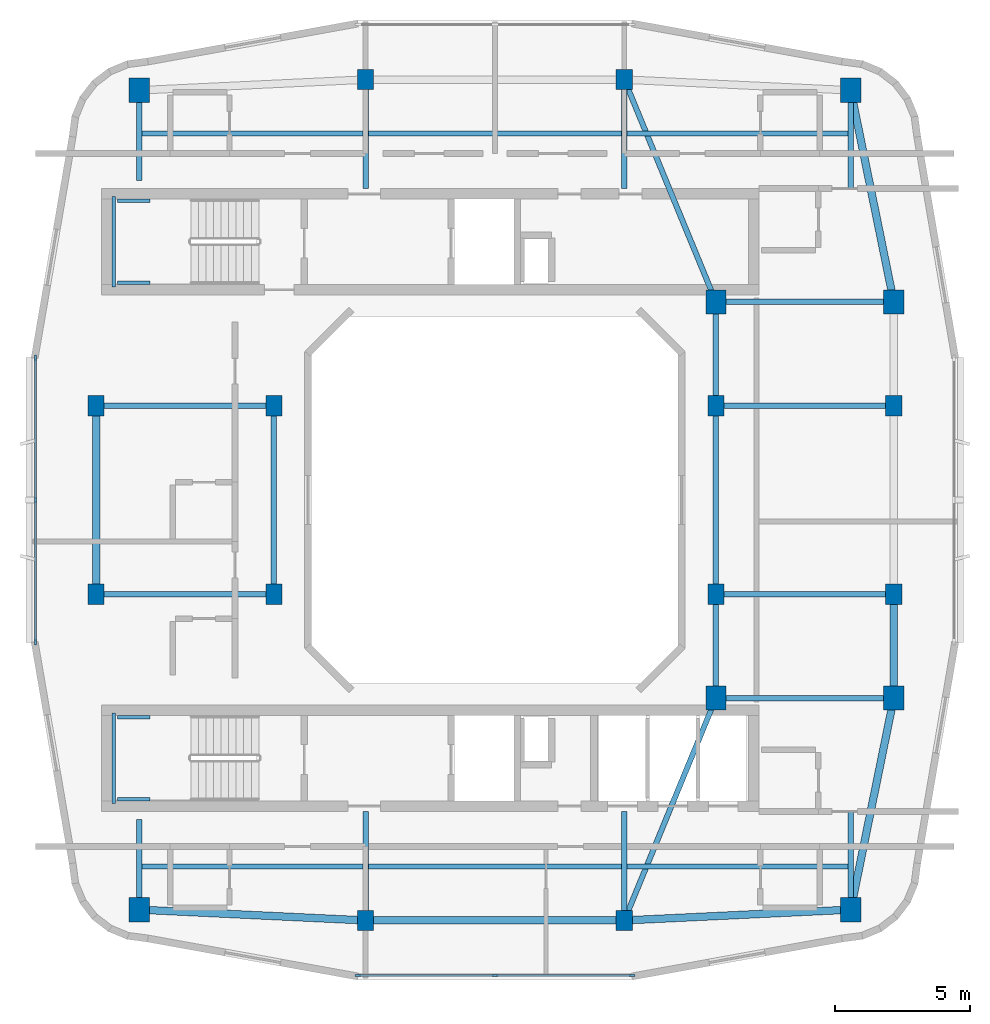
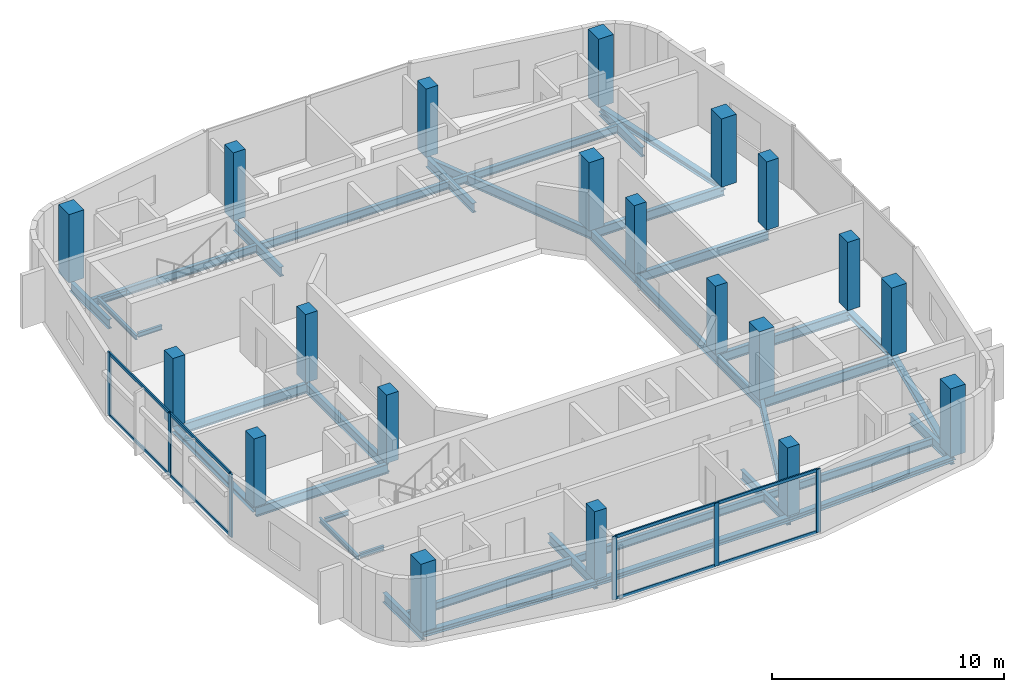
# One storey, part 1 of 8: 39 beams, 20 columns, 14 members, 2 elements without a shape of their own.
"""IFC4 building model written with IfcOpenShell, lengths in metres."""

import ifcopenshell
import ifcopenshell.guid

model = None  # the IFC model being written
_history = None  # IfcOwnerHistory: only IFC2X3 demands one
_inside = {}  # id of a spatial element -> (the spatial element, [elements in it])
_under = {}  # id of a project, library or spatial element -> (it, [spatial elements below it])
_declared = {}  # id of a project -> (the project, [libraries it declares])
_typed = {}  # id of a type object -> (the type object, [elements of that type])
_made_of = {}  # id of a material, layer set ... -> (it, [elements and type objects made of it])


def new_model(schema):
    """Start an empty IFC model of exactly this schema.

    Asked for "IFC4X3", IfcOpenShell would pick the latest addendum, in which some entities
    have other attributes; the version numbers below select the first issue.
    IFC2X3 requires an IfcOwnerHistory on every rooted entity: one is made here for all.
    """
    global model, _history
    if schema == "IFC4X3":
        model = ifcopenshell.file(schema_version=(4, 3, 0, 0))
    else:
        model = ifcopenshell.file(schema=schema)
    _inside.clear()
    _under.clear()
    _declared.clear()
    _typed.clear()
    _made_of.clear()
    _history = None
    if model.schema == "IFC2X3":
        org = make("IfcOrganization", Name="unknown")
        user = make(
            "IfcPersonAndOrganization",
            ThePerson=make("IfcPerson", FamilyName="unknown"),
            TheOrganization=org,
        )
        app = make(
            "IfcApplication",
            ApplicationDeveloper=org,
            Version="unknown",
            ApplicationFullName="unknown",
            ApplicationIdentifier="unknown",
        )
        _history = make(
            "IfcOwnerHistory",
            OwningUser=user,
            OwningApplication=app,
            ChangeAction="ADDED",
            CreationDate=0,
        )
    return model


def make(cls, **values):
    """One entity of the class cls with the attributes given. An attribute that is None is left unset."""
    return model.create_entity(
        cls, **{name: value for name, value in values.items() if value is not None}
    )


def rooted(cls, **values):
    """An entity with a GlobalId (a new one), such as an element, a storey or a relation."""
    return make(cls, GlobalId=ifcopenshell.guid.new(), OwnerHistory=_history, **values)


def si_unit(unit_type, name, prefix=None):
    """IfcSIUnit, for example si_unit("LENGTHUNIT", "METRE", prefix="MILLI")."""
    return make("IfcSIUnit", UnitType=unit_type, Prefix=prefix, Name=name)


def derived_unit(unit_type, elements):
    """IfcDerivedUnit: a product of units, each with its exponent."""
    return make(
        "IfcDerivedUnit",
        Elements=[
            make("IfcDerivedUnitElement", Unit=unit, Exponent=power)
            for unit, power in elements
        ],
        UnitType=unit_type,
    )


def assignment(units):
    """IfcUnitAssignment: the units of a project."""
    return None if units is None else make("IfcUnitAssignment", Units=units)


def point(xyz):
    """IfcCartesianPoint."""
    return None if xyz is None else make("IfcCartesianPoint", Coordinates=xyz)


def direction(xyz):
    """IfcDirection."""
    return None if xyz is None else make("IfcDirection", DirectionRatios=xyz)


def frame(location, z_axis=None, x_axis=None):
    """IfcAxis2Placement3D, a coordinate frame: its origin and axes. An axis left out is left unset."""
    return make(
        "IfcAxis2Placement3D",
        Location=point(location),
        Axis=direction(z_axis),
        RefDirection=direction(x_axis),
    )


def frame_2d(location, x_axis=None):
    """IfcAxis2Placement2D, a coordinate frame in the plane: its origin and x axis."""
    return make(
        "IfcAxis2Placement2D", Location=point(location), RefDirection=direction(x_axis)
    )


def origin():
    """The frame at (0, 0, 0) with its axes left unset."""
    return frame((0.0, 0.0, 0.0))


def origin_2d():
    """The frame at (0, 0) in the plane with its x axis left unset."""
    return frame_2d((0.0, 0.0))


def place(relative_to, where):
    """IfcLocalPlacement: puts the frame where relative to a parent placement (None: the world)."""
    return make(
        "IfcLocalPlacement", PlacementRelTo=relative_to, RelativePlacement=where
    )


def context(
    kind, dimensions, precision=None, world=None, true_north=None, identifier=None
):
    """IfcGeometricRepresentationContext, for example the 3D "Model" context."""
    return make(
        "IfcGeometricRepresentationContext",
        ContextIdentifier=identifier,
        ContextType=kind,
        CoordinateSpaceDimension=dimensions,
        Precision=precision,
        WorldCoordinateSystem=world,
        TrueNorth=true_north,
    )


def subcontext(parent, identifier, kind, view, scale=None):
    """IfcGeometricRepresentationSubContext, for example "Body" below "Model"."""
    return make(
        "IfcGeometricRepresentationSubContext",
        ContextIdentifier=identifier,
        ContextType=kind,
        ParentContext=parent,
        TargetScale=scale,
        TargetView=view,
    )


def project(units=None, contexts=None):
    """IfcProject with its units and contexts."""
    return rooted(
        "IfcProject",
        Name="project",
        RepresentationContexts=contexts,
        UnitsInContext=assignment(units),
    )


def spatial(cls, under=None, at=None, **own):
    """A site, building, storey or space (cls), placed at a placement, below another one or the project."""
    s = rooted(cls, ObjectPlacement=at, **own)
    if under is not None:
        _under.setdefault(under.id(), (under, []))[1].append(s)
    return s


def profile(cls, at=None, kind="AREA", **sizes):
    """A parametric profile (cls). Its sizes go by their IFC names, for example OverallWidth=200.0."""
    return make(cls, ProfileType=kind, Position=at, **sizes)


def rectangle(**sizes):
    """IfcRectangleProfileDef."""
    return profile("IfcRectangleProfileDef", **sizes)


def i_section(**sizes):
    """IfcIShapeProfileDef."""
    return profile("IfcIShapeProfileDef", **sizes)


def extrude(swept, where, along, depth):
    """IfcExtrudedAreaSolid: the profile swept, set in the frame where, extruded along a direction by depth."""
    return make(
        "IfcExtrudedAreaSolid",
        SweptArea=swept,
        Position=where,
        ExtrudedDirection=direction(along),
        Depth=depth,
    )


def shape(context_of_items, identifier, shape_type, items):
    """IfcShapeRepresentation: the items that make up one representation, for example the "Body"."""
    return make(
        "IfcShapeRepresentation",
        ContextOfItems=context_of_items,
        RepresentationIdentifier=identifier,
        RepresentationType=shape_type,
        Items=items,
    )


def material(Name=None, Category=None):
    """IfcMaterial."""
    return make("IfcMaterial", Name=Name, Category=Category)


def layer(
    of_material, thickness, ventilated=None, Name=None, Category=None, Priority=None
):
    """IfcMaterialLayer: one layer of a wall or slab, of a material (None: an air gap)."""
    return make(
        "IfcMaterialLayer",
        Material=of_material,
        LayerThickness=thickness,
        IsVentilated=ventilated,
        Name=Name,
        Category=Category,
        Priority=Priority,
    )


def layer_set(layers, Name=None):
    """IfcMaterialLayerSet."""
    return make("IfcMaterialLayerSet", MaterialLayers=layers, LayerSetName=Name)


def material_profile(
    of_material, cross_section, Name=None, Category=None, Priority=None
):
    """IfcMaterialProfile: a cross section and its material."""
    return make(
        "IfcMaterialProfile",
        Name=Name,
        Material=of_material,
        Profile=cross_section,
        Priority=Priority,
        Category=Category,
    )


def profile_set(profiles, Name=None, composite=None):
    """IfcMaterialProfileSet."""
    return make(
        "IfcMaterialProfileSet",
        Name=Name,
        MaterialProfiles=profiles,
        CompositeProfile=composite,
    )


def made_of(thing, what):
    """Note that an element or type object is made of a material, layer set ...; save() writes the relation."""
    if what is not None:
        _made_of.setdefault(what.id(), (what, []))[1].append(thing)
    return thing


def type_object(cls, material=None, **own):
    """A type object (cls), such as IfcWallType, which elements share."""
    return made_of(rooted(cls, **own), material)


def element(
    cls,
    number,
    at=None,
    inside=None,
    cuts=None,
    type_object=None,
    material=None,
    context=None,
    identifier="Body",
    shape_type=None,
    held_by="IfcProductDefinitionShape",
    body=None,
    shapes=None,
    **own,
):
    """One element of the class cls, such as IfcWall. Its Tag is "e" and its number.

    at: its placement. inside: the storey or other place that contains it. cuts: it is an
    opening in that element (IfcRelVoidsElement). A single representation is given by context,
    identifier, shape_type and body (its items); several are given by shapes. held_by: the class
    of the entity that holds the representations. save() writes the other relations.
    """
    e = rooted(cls, Tag="e%d" % number, ObjectPlacement=at, **own)
    if body is not None:
        shapes = [shape(context, identifier, shape_type, body)]
    if shapes is not None:
        e.Representation = make(held_by, Representations=shapes)
    if inside is not None:
        _inside.setdefault(inside.id(), (inside, []))[1].append(e)
    if cuts is not None:
        rooted(
            "IfcRelVoidsElement", RelatingBuildingElement=cuts, RelatedOpeningElement=e
        )
    if type_object is not None:
        _typed.setdefault(type_object.id(), (type_object, []))[1].append(e)
    return made_of(e, material)


def aggregate(whole, parts):
    """IfcRelAggregates: a whole, such as a stair, and the parts it consists of."""
    return rooted("IfcRelAggregates", RelatingObject=whole, RelatedObjects=parts)


def save(model, path):
    """Write the relations noted so far, then the file.

    IfcRelAggregates (storeys below a building ...), IfcRelContainedInSpatialStructure (elements
    in a storey), IfcRelDefinesByType, IfcRelAssociatesMaterial and IfcRelDeclares: one each for
    every whole, place, type object, material and project.
    """
    for whole, parts in _under.values():
        aggregate(whole, parts)
    for where, things in _inside.values():
        rooted(
            "IfcRelContainedInSpatialStructure",
            RelatedElements=things,
            RelatingStructure=where,
        )
    for kind, things in _typed.values():
        rooted("IfcRelDefinesByType", RelatedObjects=things, RelatingType=kind)
    for what, things in _made_of.values():
        rooted("IfcRelAssociatesMaterial", RelatedObjects=things, RelatingMaterial=what)
    for by, libraries in _declared.values():
        rooted("IfcRelDeclares", RelatingContext=by, RelatedDefinitions=libraries)
    model.write(path)


model = new_model("IFC4")

# Units and contexts
model_context = context("Model", 3, precision=1e-05, world=origin(), true_north=direction((0.0, 1.0)))
body_context = subcontext(model_context, "Body", "Model", "MODEL_VIEW")
ifc_project = project(units=[si_unit("LENGTHUNIT", "METRE"), si_unit("AREAUNIT", "SQUARE_METRE"), si_unit("VOLUMEUNIT", "CUBIC_METRE"), si_unit("PLANEANGLEUNIT", "RADIAN"), si_unit("MASSUNIT", "GRAM", prefix="KILO"), derived_unit("THERMALTRANSMITTANCEUNIT", [(si_unit("POWERUNIT", "WATT"), 1), (si_unit("LENGTHUNIT", "METRE"), -2), (si_unit("THERMODYNAMICTEMPERATUREUNIT", "KELVIN"), -1)])], contexts=[model_context])

# Site, building, storey
site_placement = place(None, origin())
site = spatial("IfcSite", under=ifc_project, at=site_placement, CompositionType="ELEMENT")
building_placement = place(site_placement, origin())
building = spatial("IfcBuilding", under=site, at=building_placement, Name="Kivonza Crest Hotel", CompositionType="ELEMENT")
storey_placement = place(building_placement, frame((0.0, 0.0, 261.199951171875)))
storey = spatial("IfcBuildingStorey", under=building, at=storey_placement, Name="L71", CompositionType="ELEMENT", Elevation=261.199951171875)

# Columns
ifc_material_1 = material(Name="Concrete C50/60", Category="concrete")
ifc_material_profile_1 = material_profile(ifc_material_1, rectangle(XDim=0.60009765625, YDim=0.75, at=origin_2d()), Name="RC 750x600")
ifc_profile_set_1 = profile_set([ifc_material_profile_1], Name="Concrete C50/60")
column_type_1 = type_object("IfcColumnType", Name="CL-RC-750x600", PredefinedType="COLUMN", material=ifc_profile_set_1)
for number, where, z_axis, x_axis, name in (
    (1, (16.199951171875, 9.39990234375, 0.0), (0.0, 0.0, 1.0), (1.0, 0.0, 0.0), "Tower T1 L71 column S1"),
    (2, (25.800048828125, 9.39990234375, 0.0), (0.0, 0.0, 1.0), (1.0, 0.0, 0.0), "Tower T1 L71 column S2"),
    (3, (16.199951171875, 40.60009765625, 0.0), (0.0, 0.0, 1.0), (1.0, 0.0, 0.0), "Tower T1 L71 column N1"),
    (4, (25.800048828125, 40.60009765625, 0.0), (0.0, 0.0, 1.0), (1.0, 0.0, 0.0), "Tower T1 L71 column N2"),
    (5, (6.199951171875, 21.5, 0.0), (0.0, 0.0, 1.0), (1.0, 0.0, 0.0), "Tower T1 L71 column W1"),
    (6, (6.199951171875, 28.5, 0.0), (0.0, 0.0, 1.0), (1.0, 0.0, 0.0), "Tower T1 L71 column W2"),
    (7, (35.800048828125, 21.5, 0.0), (0.0, 0.0, 1.0), (1.0, 0.0, 0.0), "Tower T1 L71 column E1"),
    (8, (35.800048828125, 28.5, 0.0), (0.0, 0.0, 1.0), (1.0, 0.0, 0.0), "Tower T1 L71 column E2"),
    (9, (12.800048828125, 21.5, 0.0), (0.0, 0.0, 1.0), (1.0, 0.0, 0.0), "Tower T1 L71 column WL1"),
    (10, (12.800048828125, 28.5, 0.0), (0.0, 0.0, 1.0), (1.0, 0.0, 0.0), "Tower T1 L71 column WL2"),
    (11, (29.199951171875, 21.5, 0.0), (0.0, 0.0, 1.0), (1.0, 0.0, 0.0), "Tower T1 L71 column WR1"),
    (12, (29.199951171875, 28.5, 0.0), (0.0, 0.0, 1.0), (1.0, 0.0, 0.0), "Tower T1 L71 column WR2"),
):
    element("IfcColumn", number, at=place(storey_placement, frame(where, z_axis=z_axis, x_axis=x_axis)), inside=storey, type_object=column_type_1, Name=name, PredefinedType="COLUMN", context=body_context, shape_type="SweptSolid", body=[
        extrude(rectangle(XDim=0.60009765625, YDim=0.75, at=origin_2d()), origin(), (0.0, 0.0, 1.0), 3.60009765625),
    ])
ifc_material_profile_2 = material_profile(ifc_material_1, rectangle(XDim=0.75, YDim=0.89990234375, at=origin_2d()), Name="RC 900x750")
ifc_profile_set_2 = profile_set([ifc_material_profile_2], Name="Concrete C50/60")
column_type_2 = type_object("IfcColumnType", Name="CL-RC-900x750", PredefinedType="COLUMN", material=ifc_profile_set_2)
for number, where, z_axis, x_axis, name in (
    (13, (7.800048828125, 9.800048828125, 0.0), (0.0, 0.0, 1.0), (1.0, 0.0, 0.0), "Tower T1 L71 column SW"),
    (14, (34.199951171875, 9.800048828125, 0.0), (0.0, 0.0, 1.0), (1.0, 0.0, 0.0), "Tower T1 L71 column SE"),
    (15, (34.199951171875, 40.199951171875, 0.0), (0.0, 0.0, 1.0), (1.0, 0.0, 0.0), "Tower T1 L71 column NE"),
    (16, (7.800048828125, 40.199951171875, 0.0), (0.0, 0.0, 1.0), (1.0, 0.0, 0.0), "Tower T1 L71 column NW"),
    (17, (35.800048828125, 17.64990234375, 0.0), (0.0, 0.0, 1.0), (1.0, 0.0, 0.0), "Tower T1 L71 column PSE"),
    (18, (35.800048828125, 32.35009765625, 0.0), (0.0, 0.0, 1.0), (1.0, 0.0, 0.0), "Tower T1 L71 column PNE"),
    (19, (29.199951171875, 17.64990234375, 0.0), (0.0, 0.0, 1.0), (1.0, 0.0, 0.0), "Tower T1 L71 column TSE"),
    (20, (29.199951171875, 32.35009765625, 0.0), (0.0, 0.0, 1.0), (1.0, 0.0, 0.0), "Tower T1 L71 column TNE"),
):
    element("IfcColumn", number, at=place(storey_placement, frame(where, z_axis=z_axis, x_axis=x_axis)), inside=storey, type_object=column_type_2, Name=name, PredefinedType="COLUMN", context=body_context, shape_type="SweptSolid", body=[
        extrude(rectangle(XDim=0.75, YDim=0.89990234375, at=origin_2d()), origin(), (0.0, 0.0, 1.0), 3.60009765625),
    ])

# Beams
ifc_material_2 = material(Name="Steel S355", Category="steel")
ifc_material_profile_3 = material_profile(ifc_material_2, i_section(OverallWidth=0.280029296875, OverallDepth=0.280029296875, WebThickness=0.010498046875, FlangeThickness=0.01806640625, FilletRadius=0.02392578125, at=origin_2d()), Name="HEB 280")
ifc_profile_set_3 = profile_set([ifc_material_profile_3], Name="Steel S355")
beam_type_1 = type_object("IfcBeamType", Name="BM-HEB280", PredefinedType="SPANDREL", material=ifc_profile_set_3)
beam_1_placement = place(storey_placement, frame((16.199951171875, 9.39990234375, -0.419921875), z_axis=(1.0, 0.0, 0.0), x_axis=(0.0, 1.0, 0.0)))
element("IfcBeam", 21, at=beam_1_placement, inside=storey, type_object=beam_type_1, Name="Tower T1 L71 perimeter spandrel S1-S2", PredefinedType="SPANDREL", context=body_context, shape_type="SweptSolid", body=[
    extrude(i_section(OverallWidth=0.280029296875, OverallDepth=0.280029296875, WebThickness=0.010498046875, FlangeThickness=0.01806640625, FilletRadius=0.02392578125, at=origin_2d()), origin(), (0.0, 0.0, 1.0), 9.60009765625),
])
beam_2_placement = place(storey_placement, frame((25.800048828125, 9.39990234375, -0.419921875), z_axis=(0.998867283688, 0.047583080799, 0.0), x_axis=(-0.047583080799, 0.998867283688, 0.0)))
element("IfcBeam", 22, at=beam_2_placement, inside=storey, type_object=beam_type_1, Name="Tower T1 L71 perimeter spandrel S2-SE", PredefinedType="SPANDREL", context=body_context, shape_type="SweptSolid", body=[
    extrude(i_section(OverallWidth=0.280029296875, OverallDepth=0.280029296875, WebThickness=0.010498046875, FlangeThickness=0.01806640625, FilletRadius=0.02392578125, at=origin_2d()), origin(), (0.0, 0.0, 1.0), 8.409423828125),
])
beam_3_placement = place(storey_placement, frame((34.199951171875, 9.800048828125, -0.419921875), z_axis=(0.199730733965, 0.979850822273, 0.0), x_axis=(-0.979850822273, 0.199730733965, 0.0)))
element("IfcBeam", 23, at=beam_3_placement, inside=storey, type_object=beam_type_1, Name="Tower T1 L71 perimeter spandrel SE-PSE", PredefinedType="SPANDREL", context=body_context, shape_type="SweptSolid", body=[
    extrude(i_section(OverallWidth=0.280029296875, OverallDepth=0.280029296875, WebThickness=0.010498046875, FlangeThickness=0.01806640625, FilletRadius=0.02392578125, at=origin_2d()), origin(), (0.0, 0.0, 1.0), 8.01123046875),
])
beam_4_placement = place(storey_placement, frame((35.800048828125, 17.64990234375, -0.419921875), z_axis=(0.0, 1.0, 0.0), x_axis=(-1.0, 0.0, 0.0)))
element("IfcBeam", 24, at=beam_4_placement, inside=storey, type_object=beam_type_1, Name="Tower T1 L71 perimeter spandrel PSE-E1", PredefinedType="SPANDREL", context=body_context, shape_type="SweptSolid", body=[
    extrude(i_section(OverallWidth=0.280029296875, OverallDepth=0.280029296875, WebThickness=0.010498046875, FlangeThickness=0.01806640625, FilletRadius=0.02392578125, at=origin_2d()), origin(), (0.0, 0.0, 1.0), 3.85009765625),
])
beam_5_placement = place(storey_placement, frame((35.800048828125, 32.35009765625, -0.419921875), z_axis=(-0.199730733965, 0.979850822273, 0.0), x_axis=(-0.979850822273, -0.199730733965, 0.0)))
element("IfcBeam", 25, at=beam_5_placement, inside=storey, type_object=beam_type_1, Name="Tower T1 L71 perimeter spandrel PNE-NE", PredefinedType="SPANDREL", context=body_context, shape_type="SweptSolid", body=[
    extrude(i_section(OverallWidth=0.280029296875, OverallDepth=0.280029296875, WebThickness=0.010498046875, FlangeThickness=0.01806640625, FilletRadius=0.02392578125, at=origin_2d()), origin(), (0.0, 0.0, 1.0), 8.01123046875),
])
beam_6_placement = place(storey_placement, frame((6.199951171875, 28.5, -0.419921875), z_axis=(0.0, -1.0, 0.0), x_axis=(1.0, 0.0, 0.0)))
element("IfcBeam", 26, at=beam_6_placement, inside=storey, type_object=beam_type_1, Name="Tower T1 L71 perimeter spandrel W2-W1", PredefinedType="SPANDREL", context=body_context, shape_type="SweptSolid", body=[
    extrude(i_section(OverallWidth=0.280029296875, OverallDepth=0.280029296875, WebThickness=0.010498046875, FlangeThickness=0.01806640625, FilletRadius=0.02392578125, at=origin_2d()), origin(), (0.0, 0.0, 1.0), 7.0),
])
beam_7_placement = place(storey_placement, frame((7.800048828125, 9.800048828125, -0.419921875), z_axis=(0.998867283688, -0.047583080799, 0.0), x_axis=(0.047583080799, 0.998867283688, 0.0)))
element("IfcBeam", 27, at=beam_7_placement, inside=storey, type_object=beam_type_1, Name="Tower T1 L71 perimeter spandrel SW-S1", PredefinedType="SPANDREL", context=body_context, shape_type="SweptSolid", body=[
    extrude(i_section(OverallWidth=0.280029296875, OverallDepth=0.280029296875, WebThickness=0.010498046875, FlangeThickness=0.01806640625, FilletRadius=0.02392578125, at=origin_2d()), origin(), (0.0, 0.0, 1.0), 8.409423828125),
])
ifc_material_profile_4 = material_profile(ifc_material_2, i_section(OverallWidth=0.179931640625, OverallDepth=0.39990234375, WebThickness=0.008544921875, FlangeThickness=0.013427734375, FilletRadius=0.02099609375, at=origin_2d()), Name="IPE 400")
ifc_profile_set_4 = profile_set([ifc_material_profile_4], Name="Steel S355")
beam_type_2 = type_object("IfcBeamType", Name="BM-IPE400", PredefinedType="JOIST", material=ifc_profile_set_4)
beam_8_placement = place(storey_placement, frame((7.8798828125, 11.39990234375, -0.47998046875), z_axis=(1.0, 0.0, 0.0), x_axis=(0.0, 1.0, 0.0)))
element("IfcBeam", 28, at=beam_8_placement, inside=storey, type_object=beam_type_2, Name="Tower T1 L71 South-West floor joist", PredefinedType="JOIST", context=body_context, shape_type="SweptSolid", body=[
    extrude(i_section(OverallWidth=0.179931640625, OverallDepth=0.39990234375, WebThickness=0.008544921875, FlangeThickness=0.013427734375, FilletRadius=0.02099609375, at=origin_2d()), origin(), (0.0, 0.0, 1.0), 8.240234375),
])
beam_9_placement = place(storey_placement, frame((16.280029296875, 11.39990234375, -0.47998046875), z_axis=(1.0, 0.0, 0.0), x_axis=(0.0, 1.0, 0.0)))
element("IfcBeam", 29, at=beam_9_placement, inside=storey, type_object=beam_type_2, Name="Tower T1 L71 South-Mid floor joist", PredefinedType="JOIST", context=body_context, shape_type="SweptSolid", body=[
    extrude(i_section(OverallWidth=0.179931640625, OverallDepth=0.39990234375, WebThickness=0.008544921875, FlangeThickness=0.013427734375, FilletRadius=0.02099609375, at=origin_2d()), origin(), (0.0, 0.0, 1.0), 9.43994140625),
])
for number, where, z_axis, x_axis, name in (
    (30, (25.8798828125, 11.39990234375, -0.47998046875), (1.0, 0.0, 0.0), (0.0, 1.0, 0.0), "Tower T1 L71 South-East floor joist"),
    (31, (7.8798828125, 38.60009765625, -0.47998046875), (1.0, 0.0, 0.0), (0.0, 1.0, 0.0), "Tower T1 L71 North-West floor joist"),
):
    element("IfcBeam", number, at=place(storey_placement, frame(where, z_axis=z_axis, x_axis=x_axis)), inside=storey, type_object=beam_type_2, Name=name, PredefinedType="JOIST", context=body_context, shape_type="SweptSolid", body=[
        extrude(i_section(OverallWidth=0.179931640625, OverallDepth=0.39990234375, WebThickness=0.008544921875, FlangeThickness=0.013427734375, FilletRadius=0.02099609375, at=origin_2d()), origin(), (0.0, 0.0, 1.0), 8.240234375),
    ])
beam_10_placement = place(storey_placement, frame((16.280029296875, 38.60009765625, -0.47998046875), z_axis=(1.0, 0.0, 0.0), x_axis=(0.0, 1.0, 0.0)))
element("IfcBeam", 32, at=beam_10_placement, inside=storey, type_object=beam_type_2, Name="Tower T1 L71 North-Mid floor joist", PredefinedType="JOIST", context=body_context, shape_type="SweptSolid", body=[
    extrude(i_section(OverallWidth=0.179931640625, OverallDepth=0.39990234375, WebThickness=0.008544921875, FlangeThickness=0.013427734375, FilletRadius=0.02099609375, at=origin_2d()), origin(), (0.0, 0.0, 1.0), 9.43994140625),
])
beam_11_placement = place(storey_placement, frame((25.8798828125, 38.60009765625, -0.47998046875), z_axis=(1.0, 0.0, 0.0), x_axis=(0.0, 1.0, 0.0)))
element("IfcBeam", 33, at=beam_11_placement, inside=storey, type_object=beam_type_2, Name="Tower T1 L71 North-East floor joist", PredefinedType="JOIST", context=body_context, shape_type="SweptSolid", body=[
    extrude(i_section(OverallWidth=0.179931640625, OverallDepth=0.39990234375, WebThickness=0.008544921875, FlangeThickness=0.013427734375, FilletRadius=0.02099609375, at=origin_2d()), origin(), (0.0, 0.0, 1.0), 8.240234375),
])
ifc_material_profile_5 = material_profile(ifc_material_2, i_section(OverallWidth=0.199951171875, OverallDepth=0.5, WebThickness=0.01025390625, FlangeThickness=0.01611328125, FilletRadius=0.02099609375, at=origin_2d()), Name="IPE 500")
ifc_profile_set_5 = profile_set([ifc_material_profile_5], Name="Steel S355")
beam_type_3 = type_object("IfcBeamType", Name="BM-IPE500", PredefinedType="BEAM", material=ifc_profile_set_5)
for number, where, z_axis, x_axis, name in (
    (34, (6.199951171875, 21.5, -0.530029296875), (1.0, 0.0, 0.0), (0.0, 1.0, 0.0), "Tower T1 L71 primary girder W1-WL1"),
    (35, (6.199951171875, 28.5, -0.530029296875), (1.0, 0.0, 0.0), (0.0, 1.0, 0.0), "Tower T1 L71 primary girder W2-WL2"),
):
    element("IfcBeam", number, at=place(storey_placement, frame(where, z_axis=z_axis, x_axis=x_axis)), inside=storey, type_object=beam_type_3, Name=name, PredefinedType="BEAM", context=body_context, shape_type="SweptSolid", body=[
        extrude(i_section(OverallWidth=0.199951171875, OverallDepth=0.5, WebThickness=0.01025390625, FlangeThickness=0.01611328125, FilletRadius=0.02099609375, at=origin_2d()), origin(), (0.0, 0.0, 1.0), 6.60009765625),
    ])
beam_12_placement = place(storey_placement, frame((12.800048828125, 21.5, -0.530029296875), z_axis=(0.0, 1.0, 0.0), x_axis=(-1.0, 0.0, 0.0)))
element("IfcBeam", 36, at=beam_12_placement, inside=storey, type_object=beam_type_3, Name="Tower T1 L71 primary girder WL1-WL2", PredefinedType="BEAM", context=body_context, shape_type="SweptSolid", body=[
    extrude(i_section(OverallWidth=0.199951171875, OverallDepth=0.5, WebThickness=0.01025390625, FlangeThickness=0.01611328125, FilletRadius=0.02099609375, at=origin_2d()), origin(), (0.0, 0.0, 1.0), 7.0),
])
for number, where, z_axis, x_axis, name in (
    (37, (25.800048828125, 9.39990234375, -0.530029296875), (0.381022260404, 0.924565864109, 0.0), (-0.924565864109, 0.381022260404, 0.0), "Tower T1 L71 primary girder S1-TSE"),
    (38, (25.800048828125, 40.60009765625, -0.530029296875), (0.381022260404, -0.924565864109, 0.0), (0.924565864109, 0.381022260404, 0.0), "Tower T1 L71 primary girder N1-TNE"),
):
    element("IfcBeam", number, at=place(storey_placement, frame(where, z_axis=z_axis, x_axis=x_axis)), inside=storey, type_object=beam_type_3, Name=name, PredefinedType="BEAM", context=body_context, shape_type="SweptSolid", body=[
        extrude(i_section(OverallWidth=0.199951171875, OverallDepth=0.5, WebThickness=0.01025390625, FlangeThickness=0.01611328125, FilletRadius=0.02099609375, at=origin_2d()), origin(), (0.0, 0.0, 1.0), 8.923095703125),
    ])
for number, where, z_axis, x_axis, name in (
    (39, (29.199951171875, 17.64990234375, -0.530029296875), (1.0, 0.0, 0.0), (0.0, 1.0, 0.0), "Tower T1 L71 primary girder TSE-PSE"),
    (40, (29.199951171875, 32.35009765625, -0.530029296875), (1.0, 0.0, 0.0), (0.0, 1.0, 0.0), "Tower T1 L71 primary girder TNE-PNE"),
):
    element("IfcBeam", number, at=place(storey_placement, frame(where, z_axis=z_axis, x_axis=x_axis)), inside=storey, type_object=beam_type_3, Name=name, PredefinedType="BEAM", context=body_context, shape_type="SweptSolid", body=[
        extrude(i_section(OverallWidth=0.199951171875, OverallDepth=0.5, WebThickness=0.01025390625, FlangeThickness=0.01611328125, FilletRadius=0.02099609375, at=origin_2d()), origin(), (0.0, 0.0, 1.0), 6.60009765625),
    ])
beam_13_placement = place(storey_placement, frame((29.199951171875, 21.5, -0.530029296875), z_axis=(0.0, 1.0, 0.0), x_axis=(-1.0, 0.0, 0.0)))
element("IfcBeam", 41, at=beam_13_placement, inside=storey, type_object=beam_type_3, Name="Tower T1 L71 primary girder WR1-WR2", PredefinedType="BEAM", context=body_context, shape_type="SweptSolid", body=[
    extrude(i_section(OverallWidth=0.199951171875, OverallDepth=0.5, WebThickness=0.01025390625, FlangeThickness=0.01611328125, FilletRadius=0.02099609375, at=origin_2d()), origin(), (0.0, 0.0, 1.0), 7.0),
])
for number, where, z_axis, x_axis, name in (
    (42, (29.199951171875, 17.64990234375, -0.530029296875), (0.0, 1.0, 0.0), (-1.0, 0.0, 0.0), "Tower T1 L71 primary girder TSE-WR1"),
    (43, (29.199951171875, 28.5, -0.530029296875), (0.0, 1.0, 0.0), (-1.0, 0.0, 0.0), "Tower T1 L71 primary girder WR2-TNE"),
):
    element("IfcBeam", number, at=place(storey_placement, frame(where, z_axis=z_axis, x_axis=x_axis)), inside=storey, type_object=beam_type_3, Name=name, PredefinedType="BEAM", context=body_context, shape_type="SweptSolid", body=[
        extrude(i_section(OverallWidth=0.199951171875, OverallDepth=0.5, WebThickness=0.01025390625, FlangeThickness=0.01611328125, FilletRadius=0.02099609375, at=origin_2d()), origin(), (0.0, 0.0, 1.0), 3.85009765625),
    ])
for number, where, z_axis, x_axis, name in (
    (44, (29.199951171875, 21.5, -0.530029296875), (1.0, 0.0, 0.0), (0.0, 1.0, 0.0), "Tower T1 L71 primary girder WR1-E1"),
    (45, (29.199951171875, 28.5, -0.530029296875), (1.0, 0.0, 0.0), (0.0, 1.0, 0.0), "Tower T1 L71 primary girder WR2-E2"),
):
    element("IfcBeam", number, at=place(storey_placement, frame(where, z_axis=z_axis, x_axis=x_axis)), inside=storey, type_object=beam_type_3, Name=name, PredefinedType="BEAM", context=body_context, shape_type="SweptSolid", body=[
        extrude(i_section(OverallWidth=0.199951171875, OverallDepth=0.5, WebThickness=0.01025390625, FlangeThickness=0.01611328125, FilletRadius=0.02099609375, at=origin_2d()), origin(), (0.0, 0.0, 1.0), 6.60009765625),
    ])
beam_14_placement = place(storey_placement, frame((7.800048828125, 9.800048828125, -0.530029296875), z_axis=(0.0, 1.0, 0.0), x_axis=(-1.0, 0.0, 0.0)))
element("IfcBeam", 46, at=beam_14_placement, inside=storey, type_object=beam_type_3, Name="Tower T1 L71 radial core girder RSW", PredefinedType="BEAM", context=body_context, shape_type="SweptSolid", body=[
    extrude(i_section(OverallWidth=0.199951171875, OverallDepth=0.5, WebThickness=0.01025390625, FlangeThickness=0.01611328125, FilletRadius=0.02099609375, at=origin_2d()), origin(), (0.0, 0.0, 1.0), 3.349853515625),
])
for number, where, z_axis, x_axis, name in (
    (47, (16.199951171875, 9.39990234375, -0.530029296875), (0.0, 1.0, 0.0), (-1.0, 0.0, 0.0), "Tower T1 L71 radial core girder RS1"),
    (48, (25.800048828125, 9.39990234375, -0.530029296875), (0.0, 1.0, 0.0), (-1.0, 0.0, 0.0), "Tower T1 L71 radial core girder RS2"),
):
    element("IfcBeam", number, at=place(storey_placement, frame(where, z_axis=z_axis, x_axis=x_axis)), inside=storey, type_object=beam_type_3, Name=name, PredefinedType="BEAM", context=body_context, shape_type="SweptSolid", body=[
        extrude(i_section(OverallWidth=0.199951171875, OverallDepth=0.5, WebThickness=0.01025390625, FlangeThickness=0.01611328125, FilletRadius=0.02099609375, at=origin_2d()), origin(), (0.0, 0.0, 1.0), 4.050048828125),
    ])
beam_15_placement = place(storey_placement, frame((34.199951171875, 9.800048828125, -0.530029296875), z_axis=(0.0, 1.0, 0.0), x_axis=(-1.0, 0.0, 0.0)))
element("IfcBeam", 49, at=beam_15_placement, inside=storey, type_object=beam_type_3, Name="Tower T1 L71 radial core girder RSE", PredefinedType="BEAM", context=body_context, shape_type="SweptSolid", body=[
    extrude(i_section(OverallWidth=0.199951171875, OverallDepth=0.5, WebThickness=0.01025390625, FlangeThickness=0.01611328125, FilletRadius=0.02099609375, at=origin_2d()), origin(), (0.0, 0.0, 1.0), 3.64990234375),
])
beam_16_placement = place(storey_placement, frame((7.800048828125, 40.199951171875, -0.530029296875), z_axis=(0.0, -1.0, 0.0), x_axis=(1.0, 0.0, 0.0)))
element("IfcBeam", 50, at=beam_16_placement, inside=storey, type_object=beam_type_3, Name="Tower T1 L71 radial core girder RNW", PredefinedType="BEAM", context=body_context, shape_type="SweptSolid", body=[
    extrude(i_section(OverallWidth=0.199951171875, OverallDepth=0.5, WebThickness=0.01025390625, FlangeThickness=0.01611328125, FilletRadius=0.02099609375, at=origin_2d()), origin(), (0.0, 0.0, 1.0), 3.349853515625),
])
for number, where, z_axis, x_axis, name in (
    (51, (16.199951171875, 40.60009765625, -0.530029296875), (0.0, -1.0, 0.0), (1.0, 0.0, 0.0), "Tower T1 L71 radial core girder RN1"),
    (52, (25.800048828125, 40.60009765625, -0.530029296875), (0.0, -1.0, 0.0), (1.0, 0.0, 0.0), "Tower T1 L71 radial core girder RN2"),
):
    element("IfcBeam", number, at=place(storey_placement, frame(where, z_axis=z_axis, x_axis=x_axis)), inside=storey, type_object=beam_type_3, Name=name, PredefinedType="BEAM", context=body_context, shape_type="SweptSolid", body=[
        extrude(i_section(OverallWidth=0.199951171875, OverallDepth=0.5, WebThickness=0.01025390625, FlangeThickness=0.01611328125, FilletRadius=0.02099609375, at=origin_2d()), origin(), (0.0, 0.0, 1.0), 4.050048828125),
    ])
beam_17_placement = place(storey_placement, frame((34.199951171875, 40.199951171875, -0.530029296875), z_axis=(0.0, -1.0, 0.0), x_axis=(1.0, 0.0, 0.0)))
element("IfcBeam", 53, at=beam_17_placement, inside=storey, type_object=beam_type_3, Name="Tower T1 L71 radial core girder RNE", PredefinedType="BEAM", context=body_context, shape_type="SweptSolid", body=[
    extrude(i_section(OverallWidth=0.199951171875, OverallDepth=0.5, WebThickness=0.01025390625, FlangeThickness=0.01611328125, FilletRadius=0.02099609375, at=origin_2d()), origin(), (0.0, 0.0, 1.0), 3.64990234375),
])
ifc_material_profile_6 = material_profile(ifc_material_2, i_section(OverallWidth=0.1201171875, OverallDepth=0.239990234375, WebThickness=0.006103515625, FlangeThickness=0.009765625, FilletRadius=0.014892578125, at=origin_2d()), Name="IPE 240")
ifc_profile_set_6 = profile_set([ifc_material_profile_6], Name="Steel S355")
beam_type_4 = type_object("IfcBeamType", Name="BM-LLDG-240", PredefinedType="BEAM", material=ifc_profile_set_6)
beam_18_placement = place(storey_placement, frame((6.860107421875, 32.89990234375, 1.47998046875), z_axis=(0.0, 1.0, 0.0), x_axis=(-1.0, 0.0, 0.0)))
element("IfcBeam", 54, at=beam_18_placement, inside=storey, type_object=beam_type_4, Name="Stair ST-T1-N L71 West landing corbel", PredefinedType="BEAM", context=body_context, shape_type="SweptSolid", body=[
    extrude(i_section(OverallWidth=0.1201171875, OverallDepth=0.239990234375, WebThickness=0.006103515625, FlangeThickness=0.009765625, FilletRadius=0.014892578125, at=origin_2d()), origin(), (0.0, 0.0, 1.0), 3.360107421875),
])
for number, where, z_axis, x_axis, name in (
    (55, (6.989990234375, 33.06005859375, 1.47998046875), (1.0, 0.0, 0.0), (0.0, 1.0, 0.0), "Stair ST-T1-N L71 South landing corbel"),
    (56, (6.989990234375, 36.10009765625, 1.47998046875), (1.0, 0.0, 0.0), (0.0, 1.0, 0.0), "Stair ST-T1-N L71 North landing corbel"),
):
    element("IfcBeam", number, at=place(storey_placement, frame(where, z_axis=z_axis, x_axis=x_axis)), inside=storey, type_object=beam_type_4, Name=name, PredefinedType="BEAM", context=body_context, shape_type="SweptSolid", body=[
        extrude(i_section(OverallWidth=0.1201171875, OverallDepth=0.239990234375, WebThickness=0.006103515625, FlangeThickness=0.009765625, FilletRadius=0.014892578125, at=origin_2d()), origin(), (0.0, 0.0, 1.0), 1.2099609375),
    ])
beam_19_placement = place(storey_placement, frame((6.860107421875, 13.739990234375, 1.47998046875), z_axis=(0.0, 1.0, 0.0), x_axis=(-1.0, 0.0, 0.0)))
element("IfcBeam", 57, at=beam_19_placement, inside=storey, type_object=beam_type_4, Name="Stair ST-T1-S L71 West landing corbel", PredefinedType="BEAM", context=body_context, shape_type="SweptSolid", body=[
    extrude(i_section(OverallWidth=0.1201171875, OverallDepth=0.239990234375, WebThickness=0.006103515625, FlangeThickness=0.009765625, FilletRadius=0.014892578125, at=origin_2d()), origin(), (0.0, 0.0, 1.0), 3.360107421875),
])
for number, where, z_axis, x_axis, name in (
    (58, (6.989990234375, 13.89990234375, 1.47998046875), (1.0, 0.0, 0.0), (0.0, 1.0, 0.0), "Stair ST-T1-S L71 South landing corbel"),
    (59, (6.989990234375, 16.93994140625, 1.47998046875), (1.0, 0.0, 0.0), (0.0, 1.0, 0.0), "Stair ST-T1-S L71 North landing corbel"),
):
    element("IfcBeam", number, at=place(storey_placement, frame(where, z_axis=z_axis, x_axis=x_axis)), inside=storey, type_object=beam_type_4, Name=name, PredefinedType="BEAM", context=body_context, shape_type="SweptSolid", body=[
        extrude(i_section(OverallWidth=0.1201171875, OverallDepth=0.239990234375, WebThickness=0.006103515625, FlangeThickness=0.009765625, FilletRadius=0.014892578125, at=origin_2d()), origin(), (0.0, 0.0, 1.0), 1.2099609375),
    ])

# Curtain wall, members
ifc_material_3 = material(Name="Anodised bronze aluminium and low-E double glazing", Category="aluminium")
ifc_layer = layer(ifc_material_3, 0.179931640625)
ifc_layer_set = layer_set([ifc_layer], Name="Anodised bronze aluminium and low-E double glazing")
curtain_wall_type = type_object("IfcCurtainWallType", Name="CW-SYS-3", PredefinedType="NOTDEFINED", material=ifc_layer_set)
curtain_wall_1_placement = place(storey_placement, origin())
curtain_wall_1 = element("IfcCurtainWall", 60, at=curtain_wall_1_placement, inside=storey, type_object=curtain_wall_type, Name="L71 unitised curtain wall CW-T1-L71-08", PredefinedType="NOTDEFINED")
ifc_material_4 = material(Name="Anodised bronze aluminium", Category="aluminium")
ifc_material_profile_7 = material_profile(ifc_material_4, rectangle(XDim=0.074951171875, YDim=0.219970703125, at=origin_2d()), Name="CW-M 75x220")
ifc_profile_set_7 = profile_set([ifc_material_profile_7], Name="Anodised bronze aluminium")
member_type_1 = type_object("IfcMemberType", Name="CW-MUL-75x220", PredefinedType="MULLION", material=ifc_profile_set_7)
member_1_placement = place(storey_placement, frame((15.91748046875, 7.360107421875, 0.0), z_axis=(0.0, 0.0, 1.0), x_axis=(0.0, 1.0, 0.0)))
member_1 = element("IfcMember", 61, at=member_1_placement, type_object=member_type_1, Name="CW-3 mullion 1", PredefinedType="MULLION", context=body_context, shape_type="SweptSolid", body=[
    extrude(rectangle(XDim=0.074951171875, YDim=0.219970703125, at=origin_2d()), origin(), (0.0, 0.0, 1.0), 3.320068359375),
])
member_2_placement = place(storey_placement, frame((21.0, 7.360107421875, 0.0), z_axis=(0.0, 0.0, 1.0), x_axis=(0.0, 1.0, 0.0)))
member_2 = element("IfcMember", 62, at=member_2_placement, type_object=member_type_1, Name="CW-3 mullion 2", PredefinedType="MULLION", context=body_context, shape_type="SweptSolid", body=[
    extrude(rectangle(XDim=0.074951171875, YDim=0.219970703125, at=origin_2d()), origin(), (0.0, 0.0, 1.0), 3.320068359375),
])
member_3_placement = place(storey_placement, frame((26.08251953125, 7.360107421875, 0.0), z_axis=(0.0, 0.0, 1.0), x_axis=(0.0, 1.0, 0.0)))
member_3 = element("IfcMember", 63, at=member_3_placement, type_object=member_type_1, Name="CW-3 mullion 3", PredefinedType="MULLION", context=body_context, shape_type="SweptSolid", body=[
    extrude(rectangle(XDim=0.074951171875, YDim=0.219970703125, at=origin_2d()), origin(), (0.0, 0.0, 1.0), 3.320068359375),
])

curtain_wall_2_placement = place(storey_placement, origin())
curtain_wall_2 = element("IfcCurtainWall", 64, at=curtain_wall_2_placement, inside=storey, type_object=curtain_wall_type, Name="L71 unitised curtain wall CW-T1-L71-35", PredefinedType="NOTDEFINED")
member_4_placement = place(storey_placement, frame((3.9599609375, 30.262451171875, 0.0), z_axis=(0.0, 0.0, 1.0), x_axis=(1.0, 0.0, 0.0)))
member_4 = element("IfcMember", 65, at=member_4_placement, type_object=member_type_1, Name="CW-3 mullion 1", PredefinedType="MULLION", context=body_context, shape_type="SweptSolid", body=[
    extrude(rectangle(XDim=0.074951171875, YDim=0.219970703125, at=origin_2d()), origin(), (0.0, 0.0, 1.0), 3.320068359375),
])
member_5_placement = place(storey_placement, frame((3.9599609375, 25.0, 0.0), z_axis=(0.0, 0.0, 1.0), x_axis=(1.0, 0.0, 0.0)))
member_5 = element("IfcMember", 66, at=member_5_placement, type_object=member_type_1, Name="CW-3 mullion 2", PredefinedType="MULLION", context=body_context, shape_type="SweptSolid", body=[
    extrude(rectangle(XDim=0.074951171875, YDim=0.219970703125, at=origin_2d()), origin(), (0.0, 0.0, 1.0), 3.320068359375),
])
member_6_placement = place(storey_placement, frame((3.9599609375, 19.737548828125, 0.0), z_axis=(0.0, 0.0, 1.0), x_axis=(1.0, 0.0, 0.0)))
member_6 = element("IfcMember", 67, at=member_6_placement, type_object=member_type_1, Name="CW-3 mullion 3", PredefinedType="MULLION", context=body_context, shape_type="SweptSolid", body=[
    extrude(rectangle(XDim=0.074951171875, YDim=0.219970703125, at=origin_2d()), origin(), (0.0, 0.0, 1.0), 3.320068359375),
])

# Member
ifc_material_profile_8 = material_profile(ifc_material_4, rectangle(XDim=0.074951171875, YDim=0.159912109375, at=origin_2d()), Name="CW-T 75x160")
ifc_profile_set_8 = profile_set([ifc_material_profile_8], Name="Anodised bronze aluminium")
member_type_2 = type_object("IfcMemberType", Name="CW-TRN-75x160", PredefinedType="USERDEFINED", material=ifc_profile_set_8)
member_7_placement = place(storey_placement, frame((15.955078125, 7.360107421875, 0.03759765625), z_axis=(1.0, 0.0, 0.0), x_axis=(0.0, 1.0, 0.0)))
member_7 = element("IfcMember", 68, at=member_7_placement, type_object=member_type_2, Name="CW-3 transom 1.1", ObjectType="TRANSOM", PredefinedType="USERDEFINED", context=body_context, shape_type="SweptSolid", body=[
    extrude(rectangle(XDim=0.074951171875, YDim=0.159912109375, at=origin_2d()), origin(), (0.0, 0.0, 1.0), 5.00732421875),
])

member_8_placement = place(storey_placement, frame((15.955078125, 7.360107421875, 3.282470703125), z_axis=(1.0, 0.0, 0.0), x_axis=(0.0, 1.0, 0.0)))
member_8 = element("IfcMember", 69, at=member_8_placement, type_object=member_type_2, Name="CW-3 transom 1.2", ObjectType="TRANSOM", PredefinedType="USERDEFINED", context=body_context, shape_type="SweptSolid", body=[
    extrude(rectangle(XDim=0.074951171875, YDim=0.159912109375, at=origin_2d()), origin(), (0.0, 0.0, 1.0), 5.00732421875),
])

member_9_placement = place(storey_placement, frame((21.03759765625, 7.360107421875, 0.03759765625), z_axis=(1.0, 0.0, 0.0), x_axis=(0.0, 1.0, 0.0)))
member_9 = element("IfcMember", 70, at=member_9_placement, type_object=member_type_2, Name="CW-3 transom 2.1", ObjectType="TRANSOM", PredefinedType="USERDEFINED", context=body_context, shape_type="SweptSolid", body=[
    extrude(rectangle(XDim=0.074951171875, YDim=0.159912109375, at=origin_2d()), origin(), (0.0, 0.0, 1.0), 5.00732421875),
])

member_10_placement = place(storey_placement, frame((21.03759765625, 7.360107421875, 3.282470703125), z_axis=(1.0, 0.0, 0.0), x_axis=(0.0, 1.0, 0.0)))
member_10 = element("IfcMember", 71, at=member_10_placement, type_object=member_type_2, Name="CW-3 transom 2.2", ObjectType="TRANSOM", PredefinedType="USERDEFINED", context=body_context, shape_type="SweptSolid", body=[
    extrude(rectangle(XDim=0.074951171875, YDim=0.159912109375, at=origin_2d()), origin(), (0.0, 0.0, 1.0), 5.00732421875),
])

aggregate(curtain_wall_1, [member_1, member_2, member_3, member_7, member_8, member_9, member_10])

member_11_placement = place(storey_placement, frame((3.9599609375, 30.22509765625, 0.03759765625), z_axis=(0.0, -1.0, 0.0), x_axis=(1.0, 0.0, 0.0)))
member_11 = element("IfcMember", 72, at=member_11_placement, type_object=member_type_2, Name="CW-3 transom 1.1", ObjectType="TRANSOM", PredefinedType="USERDEFINED", context=body_context, shape_type="SweptSolid", body=[
    extrude(rectangle(XDim=0.074951171875, YDim=0.159912109375, at=origin_2d()), origin(), (0.0, 0.0, 1.0), 5.1875),
])

member_12_placement = place(storey_placement, frame((3.9599609375, 30.22509765625, 3.282470703125), z_axis=(0.0, -1.0, 0.0), x_axis=(1.0, 0.0, 0.0)))
member_12 = element("IfcMember", 73, at=member_12_placement, type_object=member_type_2, Name="CW-3 transom 1.2", ObjectType="TRANSOM", PredefinedType="USERDEFINED", context=body_context, shape_type="SweptSolid", body=[
    extrude(rectangle(XDim=0.074951171875, YDim=0.159912109375, at=origin_2d()), origin(), (0.0, 0.0, 1.0), 5.1875),
])

member_13_placement = place(storey_placement, frame((3.9599609375, 24.96240234375, 0.03759765625), z_axis=(0.0, -1.0, 0.0), x_axis=(1.0, 0.0, 0.0)))
member_13 = element("IfcMember", 74, at=member_13_placement, type_object=member_type_2, Name="CW-3 transom 2.1", ObjectType="TRANSOM", PredefinedType="USERDEFINED", context=body_context, shape_type="SweptSolid", body=[
    extrude(rectangle(XDim=0.074951171875, YDim=0.159912109375, at=origin_2d()), origin(), (0.0, 0.0, 1.0), 5.1875),
])

member_14_placement = place(storey_placement, frame((3.9599609375, 24.96240234375, 3.282470703125), z_axis=(0.0, -1.0, 0.0), x_axis=(1.0, 0.0, 0.0)))
member_14 = element("IfcMember", 75, at=member_14_placement, type_object=member_type_2, Name="CW-3 transom 2.2", ObjectType="TRANSOM", PredefinedType="USERDEFINED", context=body_context, shape_type="SweptSolid", body=[
    extrude(rectangle(XDim=0.074951171875, YDim=0.159912109375, at=origin_2d()), origin(), (0.0, 0.0, 1.0), 5.1875),
])

aggregate(curtain_wall_2, [member_4, member_5, member_6, member_11, member_12, member_13, member_14])

save(model, "model.ifc")
